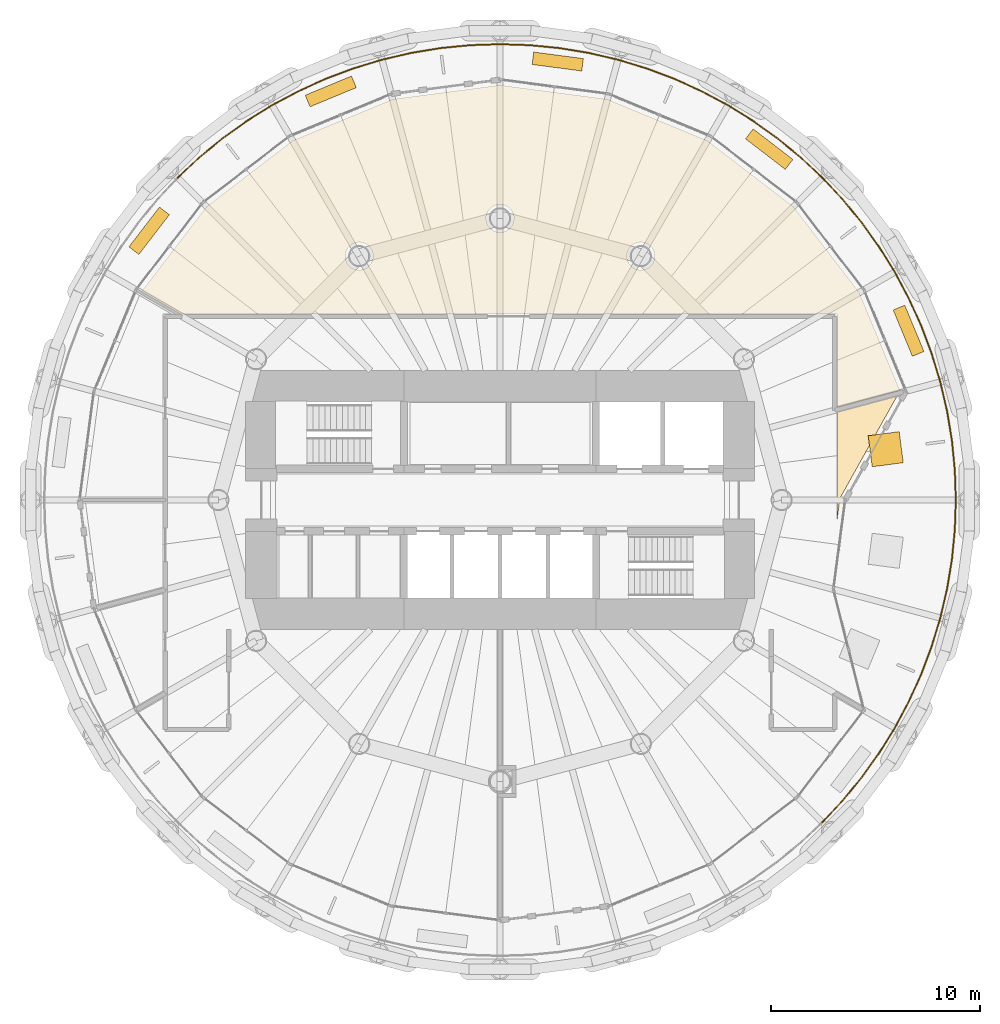
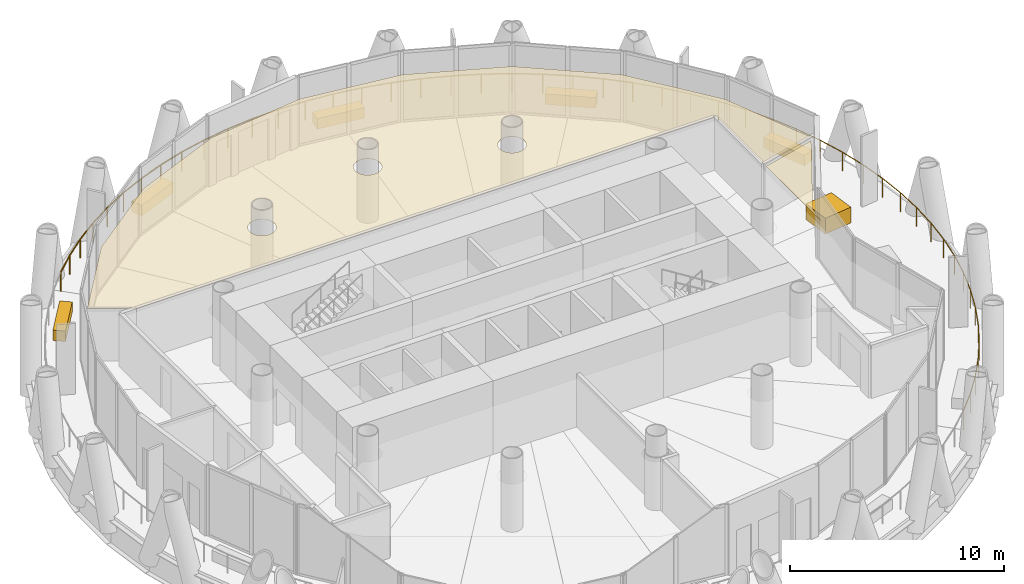
# One storey, part 13 of 13: 8 coverings, 2 railings.
"""IFC4 building model written with IfcOpenShell, lengths in metres."""

from ifc_helpers import new_model, si_unit, direction, frame, origin, origin_2d, place, context, subcontext, project, spatial, polyline, rectangle, circle, outline, extrude, material, layer, layer_set, type_object, element, save


model = new_model("IFC4")

# Units and contexts
model_context = context("Model", 3, precision=1e-05, world=origin(), true_north=direction((0.0, 1.0)))
body_context = subcontext(model_context, "Body", "Model", "MODEL_VIEW")
ifc_project = project(units=[si_unit("LENGTHUNIT", "METRE"), si_unit("AREAUNIT", "SQUARE_METRE"), si_unit("VOLUMEUNIT", "CUBIC_METRE"), si_unit("PLANEANGLEUNIT", "RADIAN"), si_unit("MASSUNIT", "GRAM", prefix="KILO")], contexts=[model_context])

# Site, building, storey
site_placement = place(None, origin())
site = spatial("IfcSite", under=ifc_project, at=site_placement, CompositionType="ELEMENT")
building_placement = place(site_placement, origin())
building = spatial("IfcBuilding", under=site, at=building_placement, Name="Qaws Media Tower", CompositionType="ELEMENT")
storey_placement = place(building_placement, frame((0.0, 0.0, 223.39990234375)))
storey = spatial("IfcBuildingStorey", under=building, at=storey_placement, Name="L51", CompositionType="ELEMENT", Elevation=223.39990234375)

# Railings
ifc_material_1 = material(Name="Stainless steel and glass guard", Category="steel")
railing_type = type_object("IfcRailingType", Name="Balcony guard 1100", PredefinedType="GUARDRAIL", material=ifc_material_1)
railing_1_placement = place(storey_placement, frame((75.4501953125, 65.4501953125, 0.0)))
element("IfcRailing", 1, at=railing_1_placement, inside=storey, type_object=railing_type, Name="GR1 balcony guard L51-1", PredefinedType="GUARDRAIL", context=body_context, shape_type="SweptSolid", body=[
    extrude(circle(Radius=0.02392578125, at=origin_2d()), frame((0.0, 0.0, 1.076171875), z_axis=(-0.729782099041, 0.683679813889, 0.0), x_axis=(-0.683679813889, -0.729782099041, 0.0)), (0.0, 0.0, 1.0), 1.429931640625),
    extrude(circle(Radius=0.02392578125, at=origin_2d()), frame((-1.04345703125, 0.9775390625, 1.076171875), z_axis=(-0.773028279969, 0.634371561759, 0.0), x_axis=(-0.634371561759, -0.773028279969, 0.0)), (0.0, 0.0, 1.0), 1.4296875),
    extrude(circle(Radius=0.02392578125, at=origin_2d()), frame((-2.148681640625, 1.884521484375, 1.076171875), z_axis=(-0.812821169307, 0.582513301759, 0.0), x_axis=(-0.582513301759, -0.812821169307, 0.0)), (0.0, 0.0, 1.0), 1.429931640625),
    extrude(circle(Radius=0.02392578125, at=origin_2d()), frame((-3.31103515625, 2.717529296875, 1.076171875), z_axis=(-0.849233586701, 0.528017343672, 0.0), x_axis=(-0.528017343672, -0.849233586701, 0.0)), (0.0, 0.0, 1.0), 1.4296875),
    extrude(circle(Radius=0.02392578125, at=origin_2d()), frame((-4.525146484375, 3.472412109375, 1.076171875), z_axis=(-0.881903518671, 0.47142993515, 0.0), x_axis=(-0.47142993515, -0.881903518671, 0.0)), (0.0, 0.0, 1.0), 1.429931640625),
    extrude(circle(Radius=0.02392578125, at=origin_2d()), frame((-5.7861328125, 4.146484375, 1.076171875), z_axis=(-0.910880322632, 0.412670616645, 0.0), x_axis=(-0.412670616645, -0.910880322632, 0.0)), (0.0, 0.0, 1.0), 1.429931640625),
    extrude(circle(Radius=0.02392578125, at=origin_2d()), frame((-7.088623046875, 4.736572265625, 1.076171875), z_axis=(-0.935900428263, 0.352264656724, 0.0), x_axis=(-0.352264656724, -0.935900428263, 0.0)), (0.0, 0.0, 1.0), 1.4296875),
    extrude(circle(Radius=0.02392578125, at=origin_2d()), frame((-8.4267578125, 5.240234375, 1.076171875), z_axis=(-0.956938192373, 0.290291742868, 0.0), x_axis=(-0.290291742868, -0.956938192373, 0.0)), (0.0, 0.0, 1.0), 1.4296875),
    extrude(circle(Radius=0.02392578125, at=origin_2d()), frame((-9.794921875, 5.6552734375, 1.076171875), z_axis=(-0.973876460606, 0.227078487483, 0.0), x_axis=(-0.227078487483, -0.973876460606, 0.0)), (0.0, 0.0, 1.0), 1.429931640625),
    extrude(circle(Radius=0.02392578125, at=origin_2d()), frame((-11.1875, 5.97998046875, 1.076171875), z_axis=(-0.98664200542, 0.162903508683, 0.0), x_axis=(-0.162903508683, -0.98664200542, 0.0)), (0.0, 0.0, 1.0), 1.4296875),
    extrude(circle(Radius=0.02392578125, at=origin_2d()), frame((-12.59814453125, 6.212890625, 1.076171875), z_axis=(-0.995186498322, 0.097999150804, 0.0), x_axis=(-0.097999150804, -0.995186498322, 0.0)), (0.0, 0.0, 1.0), 1.429931640625),
    extrude(circle(Radius=0.02392578125, at=origin_2d()), frame((-14.021240234375, 6.35302734375, 1.076171875), z_axis=(-0.999462392791, 0.032786054915, 0.0), x_axis=(-0.032786054915, -0.999462392791, 0.0)), (0.0, 0.0, 1.0), 1.4296875),
    extrude(circle(Radius=0.02392578125, at=origin_2d()), frame((-15.4501953125, 6.39990234375, 1.076171875), z_axis=(-0.999462392791, -0.032786054915, 0.0), x_axis=(0.032786054915, -0.999462392791, 0.0)), (0.0, 0.0, 1.0), 1.4296875),
    extrude(circle(Radius=0.02392578125, at=origin_2d()), frame((-16.879150390625, 6.35302734375, 1.076171875), z_axis=(-0.995186498322, -0.097999150804, 0.0), x_axis=(0.097999150804, -0.995186498322, 0.0)), (0.0, 0.0, 1.0), 1.429931640625),
    extrude(circle(Radius=0.02392578125, at=origin_2d()), frame((-18.30224609375, 6.212890625, 1.076171875), z_axis=(-0.98664200542, -0.162903508683, 0.0), x_axis=(0.162903508683, -0.98664200542, 0.0)), (0.0, 0.0, 1.0), 1.4296875),
    extrude(circle(Radius=0.02392578125, at=origin_2d()), frame((-19.712890625, 5.97998046875, 1.076171875), z_axis=(-0.973876460606, -0.227078487483, 0.0), x_axis=(0.227078487483, -0.973876460606, 0.0)), (0.0, 0.0, 1.0), 1.429931640625),
    extrude(circle(Radius=0.02392578125, at=origin_2d()), frame((-21.10546875, 5.6552734375, 1.076171875), z_axis=(-0.956938192373, -0.290291742868, 0.0), x_axis=(0.290291742868, -0.956938192373, 0.0)), (0.0, 0.0, 1.0), 1.4296875),
    extrude(circle(Radius=0.02392578125, at=origin_2d()), frame((-22.4736328125, 5.240234375, 1.076171875), z_axis=(-0.935900428263, -0.352264656724, 0.0), x_axis=(0.352264656724, -0.935900428263, 0.0)), (0.0, 0.0, 1.0), 1.4296875),
    extrude(circle(Radius=0.02392578125, at=origin_2d()), frame((-23.811767578125, 4.736572265625, 1.076171875), z_axis=(-0.910880322632, -0.412670616645, 0.0), x_axis=(0.412670616645, -0.910880322632, 0.0)), (0.0, 0.0, 1.0), 1.429931640625),
    extrude(circle(Radius=0.02392578125, at=origin_2d()), frame((-25.1142578125, 4.146484375, 1.076171875), z_axis=(-0.881903518671, -0.47142993515, 0.0), x_axis=(0.47142993515, -0.881903518671, 0.0)), (0.0, 0.0, 1.0), 1.429931640625),
    extrude(circle(Radius=0.02392578125, at=origin_2d()), frame((-26.375244140625, 3.472412109375, 1.076171875), z_axis=(-0.849233586701, -0.528017343672, 0.0), x_axis=(0.528017343672, -0.849233586701, 0.0)), (0.0, 0.0, 1.0), 1.4296875),
    extrude(circle(Radius=0.02392578125, at=origin_2d()), frame((-27.58935546875, 2.717529296875, 1.076171875), z_axis=(-0.812821169307, -0.582513301759, 0.0), x_axis=(0.582513301759, -0.812821169307, 0.0)), (0.0, 0.0, 1.0), 1.429931640625),
    extrude(circle(Radius=0.02392578125, at=origin_2d()), frame((-28.751708984375, 1.884521484375, 1.076171875), z_axis=(-0.773028279969, -0.634371561759, 0.0), x_axis=(0.634371561759, -0.773028279969, 0.0)), (0.0, 0.0, 1.0), 1.4296875),
    extrude(circle(Radius=0.02392578125, at=origin_2d()), frame((-29.85693359375, 0.9775390625, 1.076171875), z_axis=(-0.729782099041, -0.683679813889, 0.0), x_axis=(0.683679813889, -0.729782099041, 0.0)), (0.0, 0.0, 1.0), 1.429931640625),
    extrude(circle(Radius=0.02099609375, at=origin_2d()), origin(), (0.0, 0.0, 1.0), 1.052001953125),
    extrude(circle(Radius=0.02099609375, at=origin_2d()), frame((-1.04345703125, 0.9775390625, 0.0)), (0.0, 0.0, 1.0), 1.052001953125),
    extrude(circle(Radius=0.02099609375, at=origin_2d()), frame((-2.148681640625, 1.884521484375, 0.0)), (0.0, 0.0, 1.0), 1.052001953125),
    extrude(circle(Radius=0.02099609375, at=origin_2d()), frame((-3.31103515625, 2.717529296875, 0.0)), (0.0, 0.0, 1.0), 1.052001953125),
    extrude(circle(Radius=0.02099609375, at=origin_2d()), frame((-4.525146484375, 3.472412109375, 0.0)), (0.0, 0.0, 1.0), 1.052001953125),
    extrude(circle(Radius=0.02099609375, at=origin_2d()), frame((-5.7861328125, 4.146484375, 0.0)), (0.0, 0.0, 1.0), 1.052001953125),
    extrude(circle(Radius=0.02099609375, at=origin_2d()), frame((-7.088623046875, 4.736572265625, 0.0)), (0.0, 0.0, 1.0), 1.052001953125),
    extrude(circle(Radius=0.02099609375, at=origin_2d()), frame((-8.4267578125, 5.240234375, 0.0)), (0.0, 0.0, 1.0), 1.052001953125),
    extrude(circle(Radius=0.02099609375, at=origin_2d()), frame((-9.794921875, 5.6552734375, 0.0)), (0.0, 0.0, 1.0), 1.052001953125),
    extrude(circle(Radius=0.02099609375, at=origin_2d()), frame((-11.1875, 5.97998046875, 0.0)), (0.0, 0.0, 1.0), 1.052001953125),
    extrude(circle(Radius=0.02099609375, at=origin_2d()), frame((-12.59814453125, 6.212890625, 0.0)), (0.0, 0.0, 1.0), 1.052001953125),
    extrude(circle(Radius=0.02099609375, at=origin_2d()), frame((-14.021240234375, 6.35302734375, 0.0)), (0.0, 0.0, 1.0), 1.052001953125),
    extrude(circle(Radius=0.02099609375, at=origin_2d()), frame((-15.4501953125, 6.39990234375, 0.0)), (0.0, 0.0, 1.0), 1.052001953125),
    extrude(circle(Radius=0.02099609375, at=origin_2d()), frame((-16.879150390625, 6.35302734375, 0.0)), (0.0, 0.0, 1.0), 1.052001953125),
    extrude(circle(Radius=0.02099609375, at=origin_2d()), frame((-18.30224609375, 6.212890625, 0.0)), (0.0, 0.0, 1.0), 1.052001953125),
    extrude(circle(Radius=0.02099609375, at=origin_2d()), frame((-19.712890625, 5.97998046875, 0.0)), (0.0, 0.0, 1.0), 1.052001953125),
    extrude(circle(Radius=0.02099609375, at=origin_2d()), frame((-21.10546875, 5.6552734375, 0.0)), (0.0, 0.0, 1.0), 1.052001953125),
    extrude(circle(Radius=0.02099609375, at=origin_2d()), frame((-22.4736328125, 5.240234375, 0.0)), (0.0, 0.0, 1.0), 1.052001953125),
    extrude(circle(Radius=0.02099609375, at=origin_2d()), frame((-23.811767578125, 4.736572265625, 0.0)), (0.0, 0.0, 1.0), 1.052001953125),
    extrude(circle(Radius=0.02099609375, at=origin_2d()), frame((-25.1142578125, 4.146484375, 0.0)), (0.0, 0.0, 1.0), 1.052001953125),
    extrude(circle(Radius=0.02099609375, at=origin_2d()), frame((-26.375244140625, 3.472412109375, 0.0)), (0.0, 0.0, 1.0), 1.052001953125),
    extrude(circle(Radius=0.02099609375, at=origin_2d()), frame((-27.58935546875, 2.717529296875, 0.0)), (0.0, 0.0, 1.0), 1.052001953125),
    extrude(circle(Radius=0.02099609375, at=origin_2d()), frame((-28.751708984375, 1.884521484375, 0.0)), (0.0, 0.0, 1.0), 1.052001953125),
    extrude(circle(Radius=0.02099609375, at=origin_2d()), frame((-29.85693359375, 0.9775390625, 0.0)), (0.0, 0.0, 1.0), 1.052001953125),
    extrude(circle(Radius=0.02099609375, at=origin_2d()), frame((-30.900390625, 0.0, 0.0)), (0.0, 0.0, 1.0), 1.052001953125),
])
railing_2_placement = place(storey_placement, frame((75.4501953125, 34.5498046875, 0.0)))
element("IfcRailing", 2, at=railing_2_placement, inside=storey, type_object=railing_type, Name="GR1 balcony guard L51-4", PredefinedType="GUARDRAIL", context=body_context, shape_type="SweptSolid", body=[
    extrude(circle(Radius=0.02392578125, at=origin_2d()), frame((0.0, 0.0, 1.076171875), z_axis=(0.683679813889, 0.729782099041, 0.0), x_axis=(-0.729782099041, 0.683679813889, 0.0)), (0.0, 0.0, 1.0), 1.429931640625),
    extrude(circle(Radius=0.02392578125, at=origin_2d()), frame((0.9775390625, 1.04345703125, 1.076171875), z_axis=(0.634371561759, 0.773028279969, 0.0), x_axis=(-0.773028279969, 0.634371561759, 0.0)), (0.0, 0.0, 1.0), 1.4296875),
    extrude(circle(Radius=0.02392578125, at=origin_2d()), frame((1.884521484375, 2.148681640625, 1.076171875), z_axis=(0.582513301759, 0.812821169307, 0.0), x_axis=(-0.812821169307, 0.582513301759, 0.0)), (0.0, 0.0, 1.0), 1.429931640625),
    extrude(circle(Radius=0.02392578125, at=origin_2d()), frame((2.717529296875, 3.31103515625, 1.076171875), z_axis=(0.528017343672, 0.849233586701, 0.0), x_axis=(-0.849233586701, 0.528017343672, 0.0)), (0.0, 0.0, 1.0), 1.4296875),
    extrude(circle(Radius=0.02392578125, at=origin_2d()), frame((3.472412109375, 4.525146484375, 1.076171875), z_axis=(0.47142993515, 0.881903518671, 0.0), x_axis=(-0.881903518671, 0.47142993515, 0.0)), (0.0, 0.0, 1.0), 1.429931640625),
    extrude(circle(Radius=0.02392578125, at=origin_2d()), frame((4.146484375, 5.7861328125, 1.076171875), z_axis=(0.412670616645, 0.910880322632, 0.0), x_axis=(-0.910880322632, 0.412670616645, 0.0)), (0.0, 0.0, 1.0), 1.429931640625),
    extrude(circle(Radius=0.02392578125, at=origin_2d()), frame((4.736572265625, 7.088623046875, 1.076171875), z_axis=(0.352264656724, 0.935900428263, 0.0), x_axis=(-0.935900428263, 0.352264656724, 0.0)), (0.0, 0.0, 1.0), 1.4296875),
    extrude(circle(Radius=0.02392578125, at=origin_2d()), frame((5.240234375, 8.4267578125, 1.076171875), z_axis=(0.290291742868, 0.956938192373, 0.0), x_axis=(-0.956938192373, 0.290291742868, 0.0)), (0.0, 0.0, 1.0), 1.4296875),
    extrude(circle(Radius=0.02392578125, at=origin_2d()), frame((5.6552734375, 9.794921875, 1.076171875), z_axis=(0.227078487483, 0.973876460606, 0.0), x_axis=(-0.973876460606, 0.227078487483, 0.0)), (0.0, 0.0, 1.0), 1.429931640625),
    extrude(circle(Radius=0.02392578125, at=origin_2d()), frame((5.97998046875, 11.1875, 1.076171875), z_axis=(0.162903508683, 0.98664200542, 0.0), x_axis=(-0.98664200542, 0.162903508683, 0.0)), (0.0, 0.0, 1.0), 1.4296875),
    extrude(circle(Radius=0.02392578125, at=origin_2d()), frame((6.212890625, 12.59814453125, 1.076171875), z_axis=(0.097999150804, 0.995186498322, 0.0), x_axis=(-0.995186498322, 0.097999150804, 0.0)), (0.0, 0.0, 1.0), 1.429931640625),
    extrude(circle(Radius=0.02392578125, at=origin_2d()), frame((6.35302734375, 14.021240234375, 1.076171875), z_axis=(0.032786054915, 0.999462392791, 0.0), x_axis=(-0.999462392791, 0.032786054915, 0.0)), (0.0, 0.0, 1.0), 1.4296875),
    extrude(circle(Radius=0.02392578125, at=origin_2d()), frame((6.39990234375, 15.4501953125, 1.076171875), z_axis=(-0.032786054915, 0.999462392791, 0.0), x_axis=(-0.999462392791, -0.032786054915, 0.0)), (0.0, 0.0, 1.0), 1.4296875),
    extrude(circle(Radius=0.02392578125, at=origin_2d()), frame((6.35302734375, 16.879150390625, 1.076171875), z_axis=(-0.097999150804, 0.995186498322, 0.0), x_axis=(-0.995186498322, -0.097999150804, 0.0)), (0.0, 0.0, 1.0), 1.429931640625),
    extrude(circle(Radius=0.02392578125, at=origin_2d()), frame((6.212890625, 18.30224609375, 1.076171875), z_axis=(-0.162903508683, 0.98664200542, 0.0), x_axis=(-0.98664200542, -0.162903508683, 0.0)), (0.0, 0.0, 1.0), 1.4296875),
    extrude(circle(Radius=0.02392578125, at=origin_2d()), frame((5.97998046875, 19.712890625, 1.076171875), z_axis=(-0.227078487483, 0.973876460606, 0.0), x_axis=(-0.973876460606, -0.227078487483, 0.0)), (0.0, 0.0, 1.0), 1.429931640625),
    extrude(circle(Radius=0.02392578125, at=origin_2d()), frame((5.6552734375, 21.10546875, 1.076171875), z_axis=(-0.290291742868, 0.956938192373, 0.0), x_axis=(-0.956938192373, -0.290291742868, 0.0)), (0.0, 0.0, 1.0), 1.4296875),
    extrude(circle(Radius=0.02392578125, at=origin_2d()), frame((5.240234375, 22.4736328125, 1.076171875), z_axis=(-0.352264656724, 0.935900428263, 0.0), x_axis=(-0.935900428263, -0.352264656724, 0.0)), (0.0, 0.0, 1.0), 1.4296875),
    extrude(circle(Radius=0.02392578125, at=origin_2d()), frame((4.736572265625, 23.811767578125, 1.076171875), z_axis=(-0.412670616645, 0.910880322632, 0.0), x_axis=(-0.910880322632, -0.412670616645, 0.0)), (0.0, 0.0, 1.0), 1.429931640625),
    extrude(circle(Radius=0.02392578125, at=origin_2d()), frame((4.146484375, 25.1142578125, 1.076171875), z_axis=(-0.47142993515, 0.881903518671, 0.0), x_axis=(-0.881903518671, -0.47142993515, 0.0)), (0.0, 0.0, 1.0), 1.429931640625),
    extrude(circle(Radius=0.02392578125, at=origin_2d()), frame((3.472412109375, 26.375244140625, 1.076171875), z_axis=(-0.528017343672, 0.849233586701, 0.0), x_axis=(-0.849233586701, -0.528017343672, 0.0)), (0.0, 0.0, 1.0), 1.4296875),
    extrude(circle(Radius=0.02392578125, at=origin_2d()), frame((2.717529296875, 27.58935546875, 1.076171875), z_axis=(-0.582513301759, 0.812821169307, 0.0), x_axis=(-0.812821169307, -0.582513301759, 0.0)), (0.0, 0.0, 1.0), 1.429931640625),
    extrude(circle(Radius=0.02392578125, at=origin_2d()), frame((1.884521484375, 28.751708984375, 1.076171875), z_axis=(-0.634371561759, 0.773028279969, 0.0), x_axis=(-0.773028279969, -0.634371561759, 0.0)), (0.0, 0.0, 1.0), 1.4296875),
    extrude(circle(Radius=0.02392578125, at=origin_2d()), frame((0.9775390625, 29.85693359375, 1.076171875), z_axis=(-0.683679813889, 0.729782099041, 0.0), x_axis=(-0.729782099041, -0.683679813889, 0.0)), (0.0, 0.0, 1.0), 1.429931640625),
    extrude(circle(Radius=0.02099609375, at=origin_2d()), origin(), (0.0, 0.0, 1.0), 1.052001953125),
    extrude(circle(Radius=0.02099609375, at=origin_2d()), frame((0.9775390625, 1.04345703125, 0.0)), (0.0, 0.0, 1.0), 1.052001953125),
    extrude(circle(Radius=0.02099609375, at=origin_2d()), frame((1.884521484375, 2.148681640625, 0.0)), (0.0, 0.0, 1.0), 1.052001953125),
    extrude(circle(Radius=0.02099609375, at=origin_2d()), frame((2.717529296875, 3.31103515625, 0.0)), (0.0, 0.0, 1.0), 1.052001953125),
    extrude(circle(Radius=0.02099609375, at=origin_2d()), frame((3.472412109375, 4.525146484375, 0.0)), (0.0, 0.0, 1.0), 1.052001953125),
    extrude(circle(Radius=0.02099609375, at=origin_2d()), frame((4.146484375, 5.7861328125, 0.0)), (0.0, 0.0, 1.0), 1.052001953125),
    extrude(circle(Radius=0.02099609375, at=origin_2d()), frame((4.736572265625, 7.088623046875, 0.0)), (0.0, 0.0, 1.0), 1.052001953125),
    extrude(circle(Radius=0.02099609375, at=origin_2d()), frame((5.240234375, 8.4267578125, 0.0)), (0.0, 0.0, 1.0), 1.052001953125),
    extrude(circle(Radius=0.02099609375, at=origin_2d()), frame((5.6552734375, 9.794921875, 0.0)), (0.0, 0.0, 1.0), 1.052001953125),
    extrude(circle(Radius=0.02099609375, at=origin_2d()), frame((5.97998046875, 11.1875, 0.0)), (0.0, 0.0, 1.0), 1.052001953125),
    extrude(circle(Radius=0.02099609375, at=origin_2d()), frame((6.212890625, 12.59814453125, 0.0)), (0.0, 0.0, 1.0), 1.052001953125),
    extrude(circle(Radius=0.02099609375, at=origin_2d()), frame((6.35302734375, 14.021240234375, 0.0)), (0.0, 0.0, 1.0), 1.052001953125),
    extrude(circle(Radius=0.02099609375, at=origin_2d()), frame((6.39990234375, 15.4501953125, 0.0)), (0.0, 0.0, 1.0), 1.052001953125),
    extrude(circle(Radius=0.02099609375, at=origin_2d()), frame((6.35302734375, 16.879150390625, 0.0)), (0.0, 0.0, 1.0), 1.052001953125),
    extrude(circle(Radius=0.02099609375, at=origin_2d()), frame((6.212890625, 18.30224609375, 0.0)), (0.0, 0.0, 1.0), 1.052001953125),
    extrude(circle(Radius=0.02099609375, at=origin_2d()), frame((5.97998046875, 19.712890625, 0.0)), (0.0, 0.0, 1.0), 1.052001953125),
    extrude(circle(Radius=0.02099609375, at=origin_2d()), frame((5.6552734375, 21.10546875, 0.0)), (0.0, 0.0, 1.0), 1.052001953125),
    extrude(circle(Radius=0.02099609375, at=origin_2d()), frame((5.240234375, 22.4736328125, 0.0)), (0.0, 0.0, 1.0), 1.052001953125),
    extrude(circle(Radius=0.02099609375, at=origin_2d()), frame((4.736572265625, 23.811767578125, 0.0)), (0.0, 0.0, 1.0), 1.052001953125),
    extrude(circle(Radius=0.02099609375, at=origin_2d()), frame((4.146484375, 25.1142578125, 0.0)), (0.0, 0.0, 1.0), 1.052001953125),
    extrude(circle(Radius=0.02099609375, at=origin_2d()), frame((3.472412109375, 26.375244140625, 0.0)), (0.0, 0.0, 1.0), 1.052001953125),
    extrude(circle(Radius=0.02099609375, at=origin_2d()), frame((2.717529296875, 27.58935546875, 0.0)), (0.0, 0.0, 1.0), 1.052001953125),
    extrude(circle(Radius=0.02099609375, at=origin_2d()), frame((1.884521484375, 28.751708984375, 0.0)), (0.0, 0.0, 1.0), 1.052001953125),
    extrude(circle(Radius=0.02099609375, at=origin_2d()), frame((0.9775390625, 29.85693359375, 0.0)), (0.0, 0.0, 1.0), 1.052001953125),
    extrude(circle(Radius=0.02099609375, at=origin_2d()), frame((0.0, 30.900390625, 0.0)), (0.0, 0.0, 1.0), 1.052001953125),
])

# Coverings
ifc_material_2 = material(Name="600 x 600 mineral fibre tiles in exposed grid, suspended", Category="mineral fibre")
ifc_layer_1 = layer(ifc_material_2, 0.02001953125)
ifc_layer_set_1 = layer_set([ifc_layer_1], Name="Mineral fibre tile ceiling 20")
covering_type_1 = type_object("IfcCoveringType", Name="Mineral fibre tile ceiling 20", PredefinedType="CEILING", material=ifc_layer_set_1)
covering_1_placement = place(storey_placement, frame((0.0, 0.0, 2.85009765625)))
element("IfcCovering", 3, at=covering_1_placement, inside=storey, type_object=covering_type_1, Name="CL1 ceiling L51-02 Tenant office", PredefinedType="CEILING", context=body_context, shape_type="SweptSolid", body=[
    extrude(outline(polyline([(45.93896484375, 64.06103515625), (50.057373046875, 67.22119140625), (54.853271484375, 69.207763671875), (60.0, 69.88525390625), (65.146728515625, 69.207763671875), (69.942626953125, 67.22119140625), (74.06103515625, 64.06103515625), (77.22119140625, 59.942626953125), (79.164306640625, 55.25146484375), (76.16259765625, 54.447265625), (76.16259765625, 58.91259765625), (44.7880859375, 58.91259765625), (42.847900390625, 60.03271484375), (45.93896484375, 64.06103515625)]), holes=[polyline([(53.8671875, 61.435791015625), (53.895263671875, 61.5185546875), (53.912353515625, 61.604248046875), (53.91796875, 61.69140625), (53.912353515625, 61.778564453125), (53.895263671875, 61.8642578125), (53.8671875, 61.947021484375), (53.82861328125, 62.025390625), (53.780029296875, 62.097900390625), (53.722412109375, 62.163818359375), (53.65673828125, 62.22119140625), (53.583984375, 62.269775390625), (53.505615234375, 62.30859375), (53.4228515625, 62.336669921875), (53.337158203125, 62.353515625), (53.25, 62.359375), (53.162841796875, 62.353515625), (53.0771484375, 62.336669921875), (52.994384765625, 62.30859375), (52.916015625, 62.269775390625), (52.84326171875, 62.22119140625), (52.777587890625, 62.163818359375), (52.719970703125, 62.097900390625), (52.67138671875, 62.025390625), (52.6328125, 61.947021484375), (52.604736328125, 61.8642578125), (52.587646484375, 61.778564453125), (52.58203125, 61.69140625), (52.587646484375, 61.604248046875), (52.604736328125, 61.5185546875), (52.6328125, 61.435791015625), (52.67138671875, 61.357421875), (52.719970703125, 61.28466796875), (52.777587890625, 61.218994140625), (52.84326171875, 61.161376953125), (52.916015625, 61.11279296875), (52.994384765625, 61.07421875), (53.0771484375, 61.046142578125), (53.162841796875, 61.029052734375), (53.25, 61.023193359375), (53.337158203125, 61.029052734375), (53.4228515625, 61.046142578125), (53.505615234375, 61.07421875), (53.583984375, 61.11279296875), (53.65673828125, 61.161376953125), (53.722412109375, 61.218994140625), (53.780029296875, 61.28466796875), (53.82861328125, 61.357421875), (53.8671875, 61.435791015625)]), polyline([(60.6171875, 63.244384765625), (60.645263671875, 63.3271484375), (60.662353515625, 63.412841796875), (60.66796875, 63.5), (60.662353515625, 63.587158203125), (60.645263671875, 63.6728515625), (60.6171875, 63.755615234375), (60.57861328125, 63.833984375), (60.530029296875, 63.90673828125), (60.472412109375, 63.972412109375), (60.40673828125, 64.030029296875), (60.333984375, 64.07861328125), (60.255615234375, 64.1171875), (60.1728515625, 64.145263671875), (60.087158203125, 64.162353515625), (60.0, 64.16796875), (59.912841796875, 64.162353515625), (59.8271484375, 64.145263671875), (59.744384765625, 64.1171875), (59.666015625, 64.07861328125), (59.59326171875, 64.030029296875), (59.527587890625, 63.972412109375), (59.469970703125, 63.90673828125), (59.42138671875, 63.833984375), (59.3828125, 63.755615234375), (59.354736328125, 63.6728515625), (59.337646484375, 63.587158203125), (59.33203125, 63.5), (59.337646484375, 63.412841796875), (59.354736328125, 63.3271484375), (59.3828125, 63.244384765625), (59.42138671875, 63.166015625), (59.469970703125, 63.09326171875), (59.527587890625, 63.027587890625), (59.59326171875, 62.969970703125), (59.666015625, 62.92138671875), (59.744384765625, 62.8828125), (59.8271484375, 62.854736328125), (59.912841796875, 62.837646484375), (60.0, 62.83203125), (60.087158203125, 62.837646484375), (60.1728515625, 62.854736328125), (60.255615234375, 62.8828125), (60.333984375, 62.92138671875), (60.40673828125, 62.969970703125), (60.472412109375, 63.027587890625), (60.530029296875, 63.09326171875), (60.57861328125, 63.166015625), (60.6171875, 63.244384765625)]), polyline([(67.3671875, 61.435791015625), (67.395263671875, 61.5185546875), (67.412353515625, 61.604248046875), (67.41796875, 61.69140625), (67.412353515625, 61.778564453125), (67.395263671875, 61.8642578125), (67.3671875, 61.947021484375), (67.32861328125, 62.025390625), (67.280029296875, 62.097900390625), (67.222412109375, 62.163818359375), (67.15673828125, 62.22119140625), (67.083984375, 62.269775390625), (67.005615234375, 62.30859375), (66.9228515625, 62.336669921875), (66.837158203125, 62.353515625), (66.75, 62.359375), (66.662841796875, 62.353515625), (66.5771484375, 62.336669921875), (66.494384765625, 62.30859375), (66.416015625, 62.269775390625), (66.34326171875, 62.22119140625), (66.277587890625, 62.163818359375), (66.219970703125, 62.097900390625), (66.17138671875, 62.025390625), (66.1328125, 61.947021484375), (66.104736328125, 61.8642578125), (66.087646484375, 61.778564453125), (66.08203125, 61.69140625), (66.087646484375, 61.604248046875), (66.104736328125, 61.5185546875), (66.1328125, 61.435791015625), (66.17138671875, 61.357421875), (66.219970703125, 61.28466796875), (66.277587890625, 61.218994140625), (66.34326171875, 61.161376953125), (66.416015625, 61.11279296875), (66.494384765625, 61.07421875), (66.5771484375, 61.046142578125), (66.662841796875, 61.029052734375), (66.75, 61.023193359375), (66.837158203125, 61.029052734375), (66.9228515625, 61.046142578125), (67.005615234375, 61.07421875), (67.083984375, 61.11279296875), (67.15673828125, 61.161376953125), (67.222412109375, 61.218994140625), (67.280029296875, 61.28466796875), (67.32861328125, 61.357421875), (67.3671875, 61.435791015625)])]), origin(), (0.0, 0.0, 1.0), 0.02001953125),
])
covering_2_placement = place(storey_placement, frame((0.0, 0.0, 2.85009765625)))
element("IfcCovering", 4, at=covering_2_placement, inside=storey, type_object=covering_type_1, Name="CL1 ceiling L51-08 Tenant office", PredefinedType="CEILING", context=body_context, shape_type="SweptSolid", body=[
    extrude(outline(polyline([(76.29638671875, 50.083984375), (76.16259765625, 49.067626953125), (76.16259765625, 54.21435546875), (79.033203125, 54.9833984375), (76.29638671875, 50.083984375)])), origin(), (0.0, 0.0, 1.0), 0.02001953125),
])
ifc_material_3 = material(Name="Precast concrete planter with trailing planting", Category="concrete")
ifc_layer_2 = layer(ifc_material_3, 0.60009765625)
ifc_layer_set_2 = layer_set([ifc_layer_2], Name="Planter 2400x600")
covering_type_2 = type_object("IfcCoveringType", Name="Planter 2400x600", PredefinedType="USERDEFINED", material=ifc_layer_set_2)
for number, where, z_axis, x_axis, name in (
    (5, (79.586181640625, 58.11279296875, 0.0), (0.0, 0.0, 1.0), (-0.382683432365, 0.923879532511, 0.0), "PL1 balcony planter L51-01"),
    (6, (72.90576171875, 66.819091796875, 0.0), (0.0, 0.0, 1.0), (-0.793353340291, 0.608761429009, 0.0), "PL1 balcony planter L51-02"),
    (7, (62.76708984375, 71.0185546875, 0.0), (0.0, 0.0, 1.0), (-0.991444861374, 0.13052619222, 0.0), "PL1 balcony planter L51-03"),
    (8, (51.88720703125, 69.586181640625, 0.0), (0.0, 0.0, 1.0), (-0.923879532511, -0.382683432365, 0.0), "PL1 balcony planter L51-04"),
    (9, (43.180908203125, 62.90576171875, 0.0), (0.0, 0.0, 1.0), (-0.608761429009, -0.793353340291, 0.0), "PL1 balcony planter L51-05"),
):
    element("IfcCovering", number, at=place(storey_placement, frame(where, z_axis=z_axis, x_axis=x_axis)), inside=storey, type_object=covering_type_2, Name=name, ObjectType="PLANTER", PredefinedType="USERDEFINED", context=body_context, shape_type="SweptSolid", body=[
        extrude(rectangle(XDim=2.39990234375, YDim=0.60009765625, at=origin_2d()), origin(), (0.0, 0.0, 1.0), 0.60009765625),
    ])
ifc_material_4 = material(Name="Precast concrete tree planter", Category="concrete")
ifc_layer_3 = layer(ifc_material_4, 0.89990234375)
ifc_layer_set_3 = layer_set([ifc_layer_3], Name="Tree planter 1500")
covering_type_3 = type_object("IfcCoveringType", Name="Tree planter 1500", PredefinedType="USERDEFINED", material=ifc_layer_set_3)
covering_3_placement = place(storey_placement, frame((78.490478515625, 52.434326171875, 0.000244140625), z_axis=(0.0, 0.0, 1.0), x_axis=(0.991444861374, 0.13052619222, 0.0)))
element("IfcCovering", 10, at=covering_3_placement, inside=storey, type_object=covering_type_3, Name="PL2 sky garden tree planter L51-3", ObjectType="PLANTER", PredefinedType="USERDEFINED", context=body_context, shape_type="SweptSolid", body=[
    extrude(rectangle(XDim=1.5, YDim=1.5, at=origin_2d()), origin(), (0.0, 0.0, 1.0), 0.89990234375),
])

save(model, "model.ifc")
